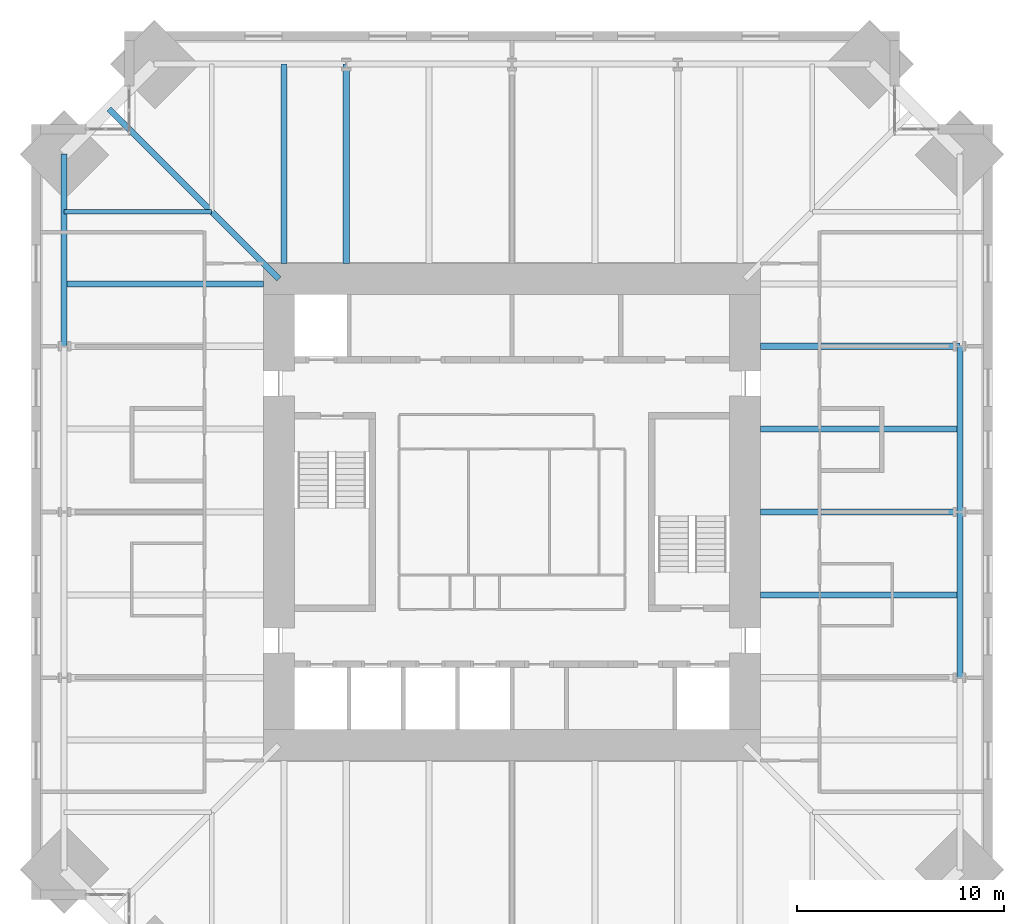
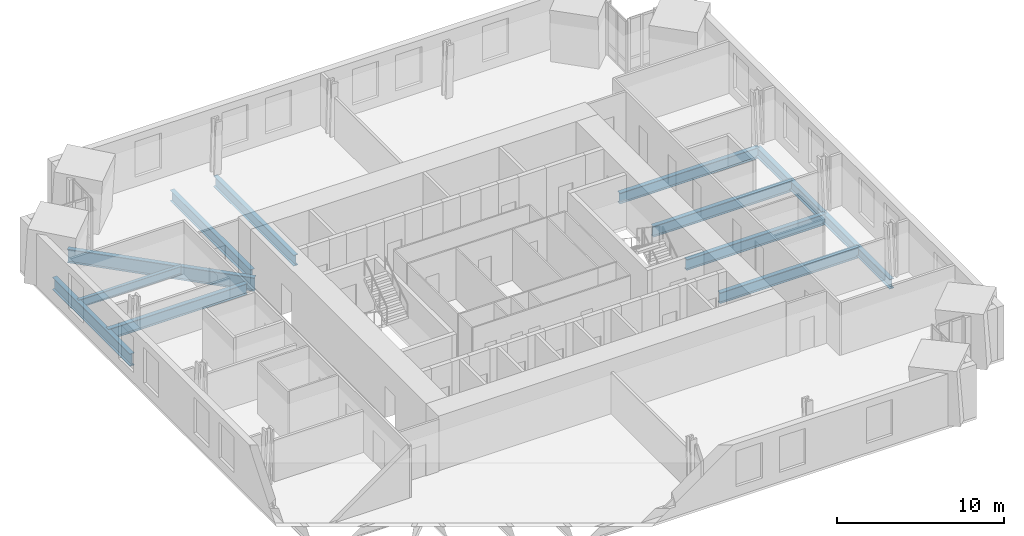
# One storey, part 5 of 15: 12 beams.
"""IFC4 building model written with IfcOpenShell, lengths in metres."""

from ifc_helpers import new_model, si_unit, direction, frame, origin, origin_2d, place, context, subcontext, project, spatial, i_section, extrude, material, material_profile, profile_set, type_object, element, save


model = new_model("IFC4")

# Units and contexts
model_context = context("Model", 3, precision=1e-05, world=origin(), true_north=direction((0.0, 1.0)))
body_context = subcontext(model_context, "Body", "Model", "MODEL_VIEW")
ifc_project = project(units=[si_unit("LENGTHUNIT", "METRE"), si_unit("AREAUNIT", "SQUARE_METRE"), si_unit("VOLUMEUNIT", "CUBIC_METRE"), si_unit("PLANEANGLEUNIT", "RADIAN"), si_unit("MASSUNIT", "GRAM", prefix="KILO")], contexts=[model_context])

# Site, building, storey
site_placement = place(None, origin())
site = spatial("IfcSite", under=ifc_project, at=site_placement, CompositionType="ELEMENT")
building_placement = place(site_placement, origin())
building = spatial("IfcBuilding", under=site, at=building_placement, Name="Peilmerk Tower", CompositionType="ELEMENT")
storey_placement = place(building_placement, frame((0.0, 0.0, 229.800048828125)))
storey = spatial("IfcBuildingStorey", under=building, at=storey_placement, Name="L50", CompositionType="ELEMENT", Elevation=229.800048828125)

# Beams
ifc_material = material(Name="Steel S355", Category="steel")
ifc_material_profile_1 = material_profile(ifc_material, i_section(OverallWidth=0.219970703125, OverallDepth=0.60009765625, WebThickness=0.011962890625, FlangeThickness=0.01904296875, at=origin_2d()), Name="IPE 600")
ifc_profile_set_1 = profile_set([ifc_material_profile_1], Name="Steel S355")
beam_type_1 = type_object("IfcBeamType", Name="B10 IPE 600 floor beam", PredefinedType="BEAM", material=ifc_profile_set_1)
beam_1_placement = place(storey_placement, frame((-14.5, 14.5, -0.469970703125), z_axis=(-1.0, 0.0, 0.0), x_axis=(0.0, -1.0, 0.0)))
element("IfcBeam", 1, at=beam_1_placement, inside=storey, type_object=beam_type_1, Name="Floor beam L50", PredefinedType="BEAM", context=body_context, shape_type="SweptSolid", body=[
    extrude(i_section(OverallWidth=0.219970703125, OverallDepth=0.60009765625, WebThickness=0.011962890625, FlangeThickness=0.01904296875, at=origin_2d()), origin(), (0.0, 0.0, 1.0), 7.130615234375),
])
ifc_material_profile_2 = material_profile(ifc_material, i_section(OverallWidth=0.300048828125, OverallDepth=0.989990234375, WebThickness=0.0166015625, FlangeThickness=0.031005859375, at=origin_2d()), Name="HEA 1000")
ifc_profile_set_2 = profile_set([ifc_material_profile_2], Name="Steel S355")
beam_type_2 = type_object("IfcBeamType", Name="B14 HEA 1000 floor girder", PredefinedType="BEAM", material=ifc_profile_set_2)
beam_2_placement = place(storey_placement, frame((-11.25, 11.25, -0.6650390625), z_axis=(-0.707106781187, 0.707106781187, 0.0), x_axis=(-0.707106781187, -0.707106781187, 0.0)))
element("IfcBeam", 2, at=beam_2_placement, inside=storey, type_object=beam_type_2, Name="Corner girder L50", PredefinedType="BEAM", context=body_context, shape_type="SweptSolid", body=[
    extrude(i_section(OverallWidth=0.300048828125, OverallDepth=0.989990234375, WebThickness=0.0166015625, FlangeThickness=0.031005859375, at=origin_2d()), origin(), (0.0, 0.0, 1.0), 11.6044921875),
])
ifc_material_profile_3 = material_profile(ifc_material, i_section(OverallWidth=0.302001953125, OverallDepth=0.909912109375, WebThickness=0.02099609375, FlangeThickness=0.0400390625, at=origin_2d()), Name="HEM 900")
ifc_profile_set_3 = profile_set([ifc_material_profile_3], Name="Steel S355")
beam_type_3 = type_object("IfcBeamType", Name="B2 HEM 900 edge beam", PredefinedType="SPANDREL", material=ifc_profile_set_3)
beam_3_placement = place(storey_placement, frame((-21.630615234375, 17.28076171875, -0.625), z_axis=(0.0, -1.0, 0.0), x_axis=(1.0, 0.0, 0.0)))
element("IfcBeam", 3, at=beam_3_placement, inside=storey, type_object=beam_type_3, Name="Edge beam L50", PredefinedType="SPANDREL", context=body_context, shape_type="SweptSolid", body=[
    extrude(i_section(OverallWidth=0.302001953125, OverallDepth=0.909912109375, WebThickness=0.02099609375, FlangeThickness=0.0400390625, at=origin_2d()), origin(), (0.0, 0.0, 1.0), 9.28076171875),
])
ifc_material_profile_4 = material_profile(ifc_material, i_section(OverallWidth=0.300048828125, OverallDepth=0.7900390625, WebThickness=0.014892578125, FlangeThickness=0.028076171875, at=origin_2d()), Name="HEA 800")
ifc_profile_set_4 = profile_set([ifc_material_profile_4], Name="Steel S355")
beam_type_4 = type_object("IfcBeamType", Name="B3 HEA 800 floor beam", PredefinedType="BEAM", material=ifc_profile_set_4)
for number, where, z_axis, x_axis, name in (
    (4, (-8.0, 12.0, -0.56494140625), (0.0, 1.0, 0.0), (-1.0, 0.0, 0.0), "Floor beam L50"),
    (5, (-11.0, 12.0, -0.56494140625), (0.0, 1.0, 0.0), (-1.0, 0.0, 0.0), "Floor beam L50"),
    (6, (12.0, -4.0, -0.56494140625), (1.0, 0.0, 0.0), (0.0, 1.0, 0.0), "Floor beam L50"),
    (7, (12.0, 0.0, -0.56494140625), (1.0, 0.0, 0.0), (0.0, 1.0, 0.0), "Floor beam L50"),
    (8, (12.0, 4.0, -0.56494140625), (1.0, 0.0, 0.0), (0.0, 1.0, 0.0), "Floor beam L50"),
    (9, (12.0, 8.0, -0.56494140625), (1.0, 0.0, 0.0), (0.0, 1.0, 0.0), "Floor beam L50"),
    (10, (-12.0, 11.0, -0.56494140625), (-1.0, 0.0, 0.0), (0.0, -1.0, 0.0), "Floor beam L50"),
):
    element("IfcBeam", number, at=place(storey_placement, frame(where, z_axis=z_axis, x_axis=x_axis)), inside=storey, type_object=beam_type_4, Name=name, PredefinedType="BEAM", context=body_context, shape_type="SweptSolid", body=[
        extrude(i_section(OverallWidth=0.300048828125, OverallDepth=0.7900390625, WebThickness=0.014892578125, FlangeThickness=0.028076171875, at=origin_2d()), origin(), (0.0, 0.0, 1.0), 9.630615234375),
    ])
ifc_material_profile_5 = material_profile(ifc_material, i_section(OverallWidth=0.303955078125, OverallDepth=0.716064453125, WebThickness=0.02099609375, FlangeThickness=0.0400390625, at=origin_2d()), Name="HEM 700")
ifc_profile_set_5 = profile_set([ifc_material_profile_5], Name="Steel S355")
beam_type_5 = type_object("IfcBeamType", Name="B30 HEM 700 edge beam", PredefinedType="SPANDREL", material=ifc_profile_set_5)
for number, where, z_axis, x_axis, name in (
    (11, (21.630615234375, -8.0, -0.528076171875), (0.0, 1.0, 0.0), (-1.0, 0.0, 0.0), "Edge beam L50"),
    (12, (21.630615234375, 0.0, -0.528076171875), (0.0, 1.0, 0.0), (-1.0, 0.0, 0.0), "Edge beam L50"),
):
    element("IfcBeam", number, at=place(storey_placement, frame(where, z_axis=z_axis, x_axis=x_axis)), inside=storey, type_object=beam_type_5, Name=name, PredefinedType="SPANDREL", context=body_context, shape_type="SweptSolid", body=[
        extrude(i_section(OverallWidth=0.303955078125, OverallDepth=0.716064453125, WebThickness=0.02099609375, FlangeThickness=0.0400390625, at=origin_2d()), origin(), (0.0, 0.0, 1.0), 8.0),
    ])

save(model, "model.ifc")
